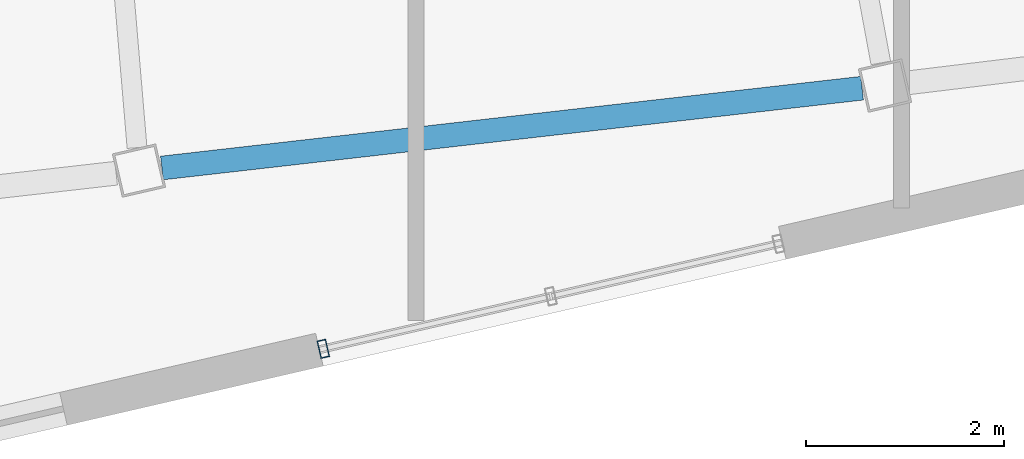
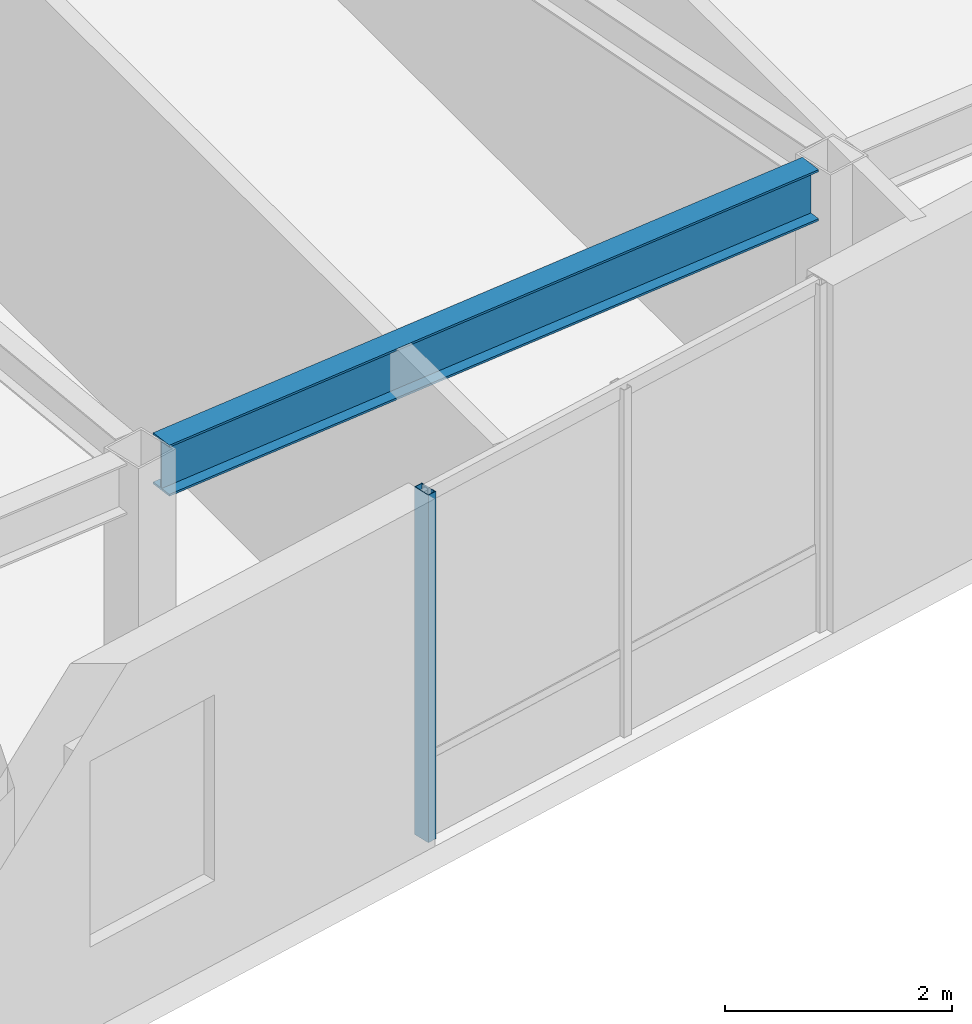
# One storey, part 6 of 22: 1 beam, 1 member, 1 element without a shape of its own.
"""IFC4 building model written with IfcOpenShell, lengths in metres."""

from ifc_helpers import new_model, si_unit, direction, frame, origin, origin_2d, place, context, subcontext, project, spatial, hollow_rectangle, i_section, extrude, material, layer, layer_set, material_profile, profile_set, type_object, element, aggregate, save


model = new_model("IFC4")

# Units and contexts
model_context = context("Model", 3, precision=1e-05, world=origin(), true_north=direction((0.0, 1.0)))
body_context = subcontext(model_context, "Body", "Model", "MODEL_VIEW")
ifc_project = project(units=[si_unit("LENGTHUNIT", "METRE"), si_unit("AREAUNIT", "SQUARE_METRE"), si_unit("VOLUMEUNIT", "CUBIC_METRE"), si_unit("PLANEANGLEUNIT", "RADIAN"), si_unit("MASSUNIT", "GRAM", prefix="KILO")], contexts=[model_context])

# Site, building, storey
site_placement = place(None, origin())
site = spatial("IfcSite", under=ifc_project, at=site_placement, CompositionType="ELEMENT")
building_placement = place(site_placement, origin())
building = spatial("IfcBuilding", under=site, at=building_placement, Name="Tavrogorsk Clinical Tower", CompositionType="ELEMENT")
storey_placement = place(building_placement, frame((0.0, 0.0, 317.0)))
storey = spatial("IfcBuildingStorey", under=building, at=storey_placement, Name="L74", CompositionType="ELEMENT", Elevation=317.0)

# Curtain wall, member
ifc_material_1 = material(Name="Anodised aluminium and triple IGU glazing", Category="aluminium")
ifc_layer = layer(ifc_material_1, 0.179931640625)
ifc_layer_set = layer_set([ifc_layer], Name="Anodised aluminium and triple IGU glazing")
curtain_wall_type = type_object("IfcCurtainWallType", Name="CW3_SouthSlot", PredefinedType="NOTDEFINED", material=ifc_layer_set)
curtain_wall_placement = place(storey_placement, origin())
curtain_wall = element("IfcCurtainWall", 1, at=curtain_wall_placement, inside=storey, type_object=curtain_wall_type, Name="L74 Curtain Wall CW-L74-S-SLOT-1", PredefinedType="NOTDEFINED")
ifc_material_2 = material(Name="Anodised aluminium alloy AW-6060", Category="aluminium")
ifc_material_profile_1 = material_profile(ifc_material_2, hollow_rectangle(XDim=0.090087890625, YDim=0.179931640625, WallThickness=0.00634765625, at=origin_2d()), Name="RHS-180x90x6.3")
ifc_profile_set_1 = profile_set([ifc_material_profile_1], Name="Anodised aluminium alloy AW-6060")
member_type = type_object("IfcMemberType", Name="CwMullion_180x90", PredefinedType="MULLION", material=ifc_profile_set_1)
member_placement = place(storey_placement, frame((-6.93212890625, -25.968994140625, 0.0), z_axis=(0.0, 0.0, 1.0), x_axis=(0.974370057377, 0.224951086434, 0.0)))
member = element("IfcMember", 2, at=member_placement, type_object=member_type, Name="CW-L74-S-SLOT-1 Mullion 1", PredefinedType="MULLION", context=body_context, shape_type="SweptSolid", body=[
    extrude(hollow_rectangle(XDim=0.090087890625, YDim=0.179931640625, WallThickness=0.00634765625, at=origin_2d()), origin(), (0.0, 0.0, 1.0), 3.739990234375),
])
aggregate(curtain_wall, [member])

# Beam
ifc_material_3 = material(Name="Structural steel S390", Category="steel")
ifc_material_profile_2 = material_profile(ifc_material_3, i_section(OverallWidth=0.239990234375, OverallDepth=0.550048828125, WebThickness=0.013916015625, FlangeThickness=0.02197265625, at=origin_2d()), Name="B-550x240x14x22")
ifc_profile_set_2 = profile_set([ifc_material_profile_2], Name="Structural steel S390")
beam_type = type_object("IfcBeamType", Name="SpandrelBeam_B550", PredefinedType="SPANDREL", material=ifc_profile_set_2)
beam_placement = place(storey_placement, frame((-8.5625, -24.14208984375, 3.465087890625), z_axis=(0.993572073137, 0.113201305126, 0.0), x_axis=(-0.113201305126, 0.993572073137, 0.0)))
element("IfcBeam", 3, at=beam_placement, inside=storey, type_object=beam_type, Name="L74 Perimeter Spandrel S3-S4", PredefinedType="SPANDREL", context=body_context, shape_type="SweptSolid", body=[
    extrude(i_section(OverallWidth=0.239990234375, OverallDepth=0.550048828125, WebThickness=0.013916015625, FlangeThickness=0.02197265625, at=origin_2d()), origin(), (0.0, 0.0, 1.0), 7.119140625),
])

save(model, "model.ifc")
